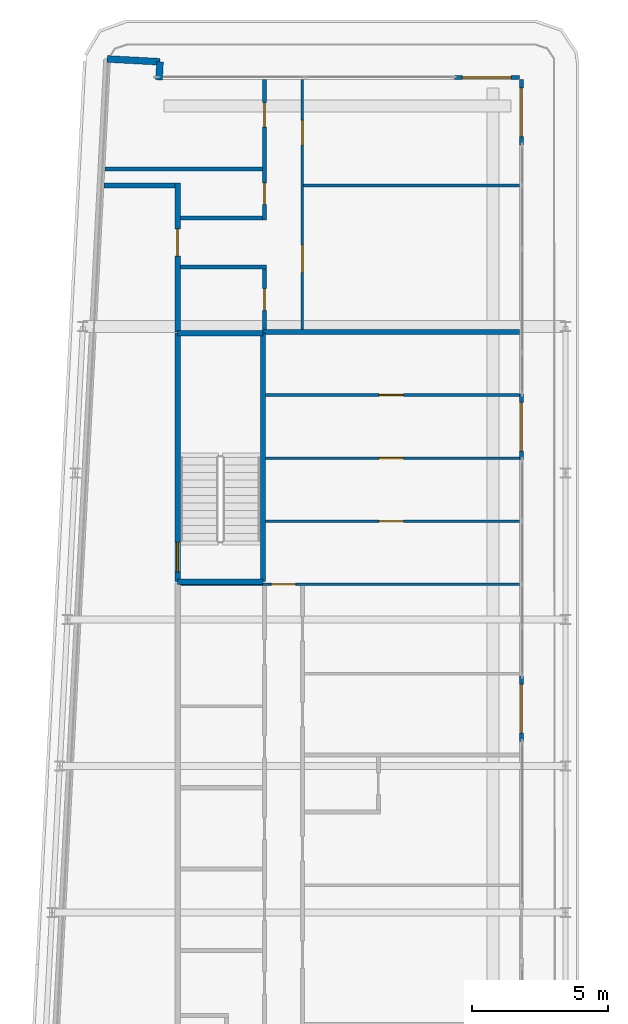
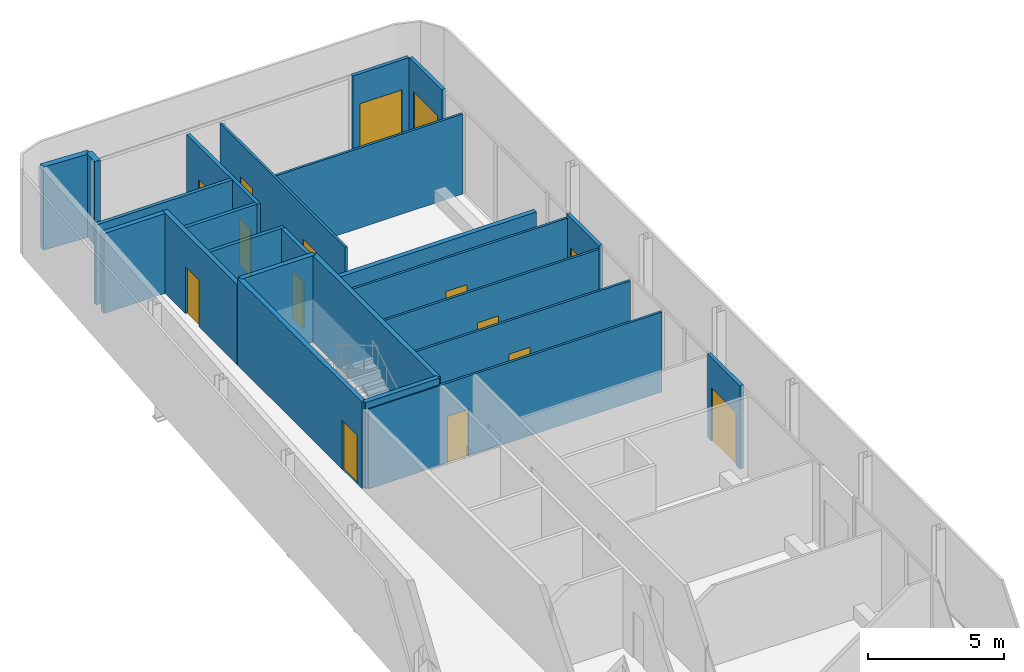
# One storey, part 11 of 18: 24 walls, 15 doors, 15 openings.
"""IFC4 building model written with IfcOpenShell, lengths in metres."""

from ifc_helpers import new_model, si_unit, direction, frame, frame_2d, origin, place, context, subcontext, project, spatial, rectangle, extrude, source, transform, mapped, material, layer, layer_set, type_object, element, fill, save


model = new_model("IFC4")

# Units and contexts
model_context = context("Model", 3, precision=1e-05, world=origin(), true_north=direction((0.0, 1.0)))
body_context = subcontext(model_context, "Body", "Model", "MODEL_VIEW")
ifc_project = project(units=[si_unit("LENGTHUNIT", "METRE"), si_unit("AREAUNIT", "SQUARE_METRE"), si_unit("VOLUMEUNIT", "CUBIC_METRE"), si_unit("PLANEANGLEUNIT", "RADIAN"), si_unit("MASSUNIT", "GRAM", prefix="KILO")], contexts=[model_context])

# Site, building, storey
site_placement = place(None, origin())
site = spatial("IfcSite", under=ifc_project, at=site_placement, CompositionType="ELEMENT")
building_placement = place(site_placement, origin())
building = spatial("IfcBuilding", under=site, at=building_placement, Name="Kheshtan School and Residences Tower", CompositionType="ELEMENT")
storey_placement = place(building_placement, frame((0.0, 0.0, 381.199951171875)))
storey = spatial("IfcBuildingStorey", under=building, at=storey_placement, Name="L90", CompositionType="ELEMENT", Elevation=381.199951171875)

# Wall
ifc_material_1 = material(Name="Gypsum board on steel studs with fire boards", Category="steel")
ifc_layer_1 = layer(ifc_material_1, 0.199951171875)
ifc_layer_set_1 = layer_set([ifc_layer_1], Name="Corridor wall 200")
wall_type_1 = type_object("IfcWallType", Name="Corridor wall 200", PredefinedType="PARTITIONING", material=ifc_layer_set_1)
wall_1_placement = place(storey_placement, frame((30.584716796875, 94.0, 0.0), z_axis=(0.0, 0.0, 1.0), x_axis=(1.0, 0.0, 0.0)))
element("IfcWall", 1, at=wall_1_placement, inside=storey, type_object=wall_type_1, Name="Partition L90-002", PredefinedType="PARTITIONING", context=body_context, shape_type="SweptSolid", body=[
    extrude(rectangle(XDim=2.615234375, YDim=0.199951171875, at=frame_2d((1.3076171875, 0.0))), origin(), (0.0, 0.0, 1.0), 3.60009765625),
])

# Wall, opening, door
wall_2_placement = place(storey_placement, frame((33.300048828125, 88.60009765625, 0.0), z_axis=(0.0, 0.0, 1.0), x_axis=(0.0, 1.0, 0.0)))
wall_2 = element("IfcWall", 2, at=wall_2_placement, inside=storey, type_object=wall_type_1, Name="Partition L90-004", PredefinedType="PARTITIONING", context=body_context, shape_type="SweptSolid", body=[
    extrude(rectangle(XDim=5.5, YDim=0.199951171875, at=frame_2d((2.75, 0.0))), origin(), (0.0, 0.0, 1.0), 3.60009765625),
])
opening_1_placement = place(wall_2_placement, frame((2.800048828125, 0.0, 0.0)))
opening_1 = element("IfcOpeningElement", 3, at=opening_1_placement, cuts=wall_2, Name="Opening D90-022", PredefinedType="OPENING", context=body_context, shape_type="SweptSolid", body=[
    extrude(rectangle(XDim=1.0, YDim=2.10009765625, at=frame_2d((0.5, 1.050048828125))), frame((0.0, 0.10986328125, 0.0), z_axis=(0.0, -1.0, 0.0), x_axis=(1.0, 0.0, 0.0)), (0.0, 0.0, 1.0), 0.219970703125),
])
ifc_material_2 = material(Name="Steel-framed fire-resisting door leaf", Category="steel")
door_type_1 = type_object("IfcDoorType", Name="Fire door FD30S 1000 x 2100", OperationType="SINGLE_SWING_LEFT", PredefinedType="DOOR", material=ifc_material_2)
shared_shape_1 = source(origin(), body_context, "Body", "SweptSolid", [
    extrude(rectangle(XDim=1.0, YDim=2.10009765625, at=frame_2d((0.5, 1.050048828125))), frame((0.0, 0.02490234375, 0.0), z_axis=(0.0, -1.0, 0.0), x_axis=(1.0, 0.0, 0.0)), (0.0, 0.0, 1.0), 0.050048828125),
])
door_1_placement = place(opening_1_placement, origin())
door_1 = element("IfcDoor", 4, at=door_1_placement, inside=storey, type_object=door_type_1, Name="Door D90-022", OperationType="SINGLE_SWING_LEFT", OverallHeight=2.10009765625, OverallWidth=1.0, PredefinedType="DOOR", context=body_context, shape_type="MappedRepresentation", body=[
    mapped(shared_shape_1, transform((0.0, 0.0, 0.0), x_axis=(1.0, 0.0, 0.0), y_axis=(0.0, 1.0, 0.0), z_axis=(0.0, 0.0, 1.0), scale=1.0)),
])
fill(opening_1, door_1)

# Walls
ifc_material_3 = material(Name="Concrete C40/50 with ceramic cladding and mineral wool insulation", Category="concrete")
ifc_layer_2 = layer(ifc_material_3, 0.25)
ifc_layer_set_2 = layer_set([ifc_layer_2], Name="External wall 250 ceramic clad")
wall_type_2 = type_object("IfcWallType", Name="External wall 250 ceramic clad", PredefinedType="SOLIDWALL", material=ifc_layer_set_2)
wall_3_placement = place(storey_placement, frame((30.705078125, 98.6640625, 0.0), z_axis=(0.0, 0.0, 1.0), x_axis=(0.998577785791, -0.053314216913, 0.0)))
element("IfcWall", 5, at=wall_3_placement, inside=storey, type_object=wall_type_2, Name="External wall L90 5", PredefinedType="SOLIDWALL", context=body_context, shape_type="SweptSolid", body=[
    extrude(rectangle(XDim=1.95068359375, YDim=0.25, at=frame_2d((0.975341796875, 0.0))), origin(), (0.0, 0.0, 1.0), 3.75),
])
wall_4_placement = place(storey_placement, frame((32.653076171875, 98.56005859375, 0.0), z_axis=(0.0, 0.0, 1.0), x_axis=(-0.054093451632, -0.998535877418, 0.0)))
element("IfcWall", 6, at=wall_4_placement, inside=storey, type_object=wall_type_2, Name="External wall L90 6", PredefinedType="SOLIDWALL", context=body_context, shape_type="SweptSolid", body=[
    extrude(rectangle(XDim=0.66796875, YDim=0.25, at=frame_2d((0.333984375, 0.0))), origin(), (0.0, 0.0, 1.0), 3.75),
])

# Wall, opening, door
ifc_material_4 = material(Name="Aluminium frame wall with insulated infill", Category="aluminium")
ifc_layer_3 = layer(ifc_material_4, 0.14990234375)
ifc_layer_set_3 = layer_set([ifc_layer_3], Name="Glazing frame wall 150")
wall_type_3 = type_object("IfcWallType", Name="Glazing frame wall 150", PredefinedType="SOLIDWALL", material=ifc_layer_set_3)
wall_5_placement = place(storey_placement, frame((43.5, 97.97509765625, 0.0), z_axis=(0.0, 0.0, 1.0), x_axis=(1.0, 0.0, 0.0)))
wall_5 = element("IfcWall", 7, at=wall_5_placement, inside=storey, type_object=wall_type_3, Name="Balcony door wall L90 7.1", PredefinedType="SOLIDWALL", context=body_context, shape_type="SweptSolid", body=[
    extrude(rectangle(XDim=2.39990234375, YDim=0.14990234375, at=frame_2d((1.199951171875, 0.0))), origin(), (0.0, 0.0, 1.0), 3.75),
])
opening_2_placement = place(wall_5_placement, frame((0.300048828125, 0.0, 0.0)))
opening_2 = element("IfcOpeningElement", 8, at=opening_2_placement, cuts=wall_5, Name="Opening BD", PredefinedType="OPENING", context=body_context, shape_type="SweptSolid", body=[
    extrude(rectangle(XDim=1.800048828125, YDim=2.39990234375, at=frame_2d((0.89990234375, 1.199951171875))), frame((0.0, 0.0849609375, 0.0), z_axis=(0.0, -1.0, 0.0), x_axis=(1.0, 0.0, 0.0)), (0.0, 0.0, 1.0), 0.169921875),
])
ifc_material_5 = material(Name="Clear low-e glass in thermally broken aluminium frame", Category="aluminium")
door_type_2 = type_object("IfcDoorType", Name="Balcony sliding door", OperationType="SLIDING_TO_LEFT", PredefinedType="DOOR", material=ifc_material_5)
shared_shape_2 = source(origin(), body_context, "Body", "SweptSolid", [
    extrude(rectangle(XDim=1.800048828125, YDim=2.39990234375, at=frame_2d((0.89990234375, 1.199951171875))), frame((0.0, 0.02490234375, 0.0), z_axis=(0.0, -1.0, 0.0), x_axis=(1.0, 0.0, 0.0)), (0.0, 0.0, 1.0), 0.050048828125),
])
door_2_placement = place(opening_2_placement, origin())
door_2 = element("IfcDoor", 9, at=door_2_placement, inside=storey, type_object=door_type_2, Name="Balcony door L90 7.1", OperationType="SLIDING_TO_LEFT", OverallHeight=2.39990234375, OverallWidth=1.800048828125, PredefinedType="DOOR", context=body_context, shape_type="MappedRepresentation", body=[
    mapped(shared_shape_2, transform((0.0, 0.0, 0.0), x_axis=(1.0, 0.0, 0.0), y_axis=(0.0, 1.0, 0.0), z_axis=(0.0, 0.0, 1.0), scale=1.0)),
])
fill(opening_2, door_2)

wall_6_placement = place(storey_placement, frame((45.97509765625, 97.89990234375, 0.0), z_axis=(0.0, 0.0, 1.0), x_axis=(0.0, -1.0, 0.0)))
wall_6 = element("IfcWall", 10, at=wall_6_placement, inside=storey, type_object=wall_type_3, Name="Balcony door wall L90 8.1", PredefinedType="SOLIDWALL", context=body_context, shape_type="SweptSolid", body=[
    extrude(rectangle(XDim=2.39990234375, YDim=0.14990234375, at=frame_2d((1.199951171875, 0.0))), origin(), (0.0, 0.0, 1.0), 3.75),
])
opening_3_placement = place(wall_6_placement, frame((0.300048828125, 0.0, 0.0)))
opening_3 = element("IfcOpeningElement", 11, at=opening_3_placement, cuts=wall_6, Name="Opening BD", PredefinedType="OPENING", context=body_context, shape_type="SweptSolid", body=[
    extrude(rectangle(XDim=1.800048828125, YDim=2.39990234375, at=frame_2d((0.89990234375, 1.199951171875))), frame((0.0, 0.0849609375, 0.0), z_axis=(0.0, -1.0, 0.0), x_axis=(1.0, 0.0, 0.0)), (0.0, 0.0, 1.0), 0.169921875),
])
door_3_placement = place(opening_3_placement, origin())
door_3 = element("IfcDoor", 12, at=door_3_placement, inside=storey, type_object=door_type_2, Name="Balcony door L90 8.1", OperationType="SLIDING_TO_LEFT", OverallHeight=2.39990234375, OverallWidth=1.800048828125, PredefinedType="DOOR", context=body_context, shape_type="MappedRepresentation", body=[
    mapped(shared_shape_2, transform((0.0, 0.0, 0.0), x_axis=(1.0, 0.0, 0.0), y_axis=(0.0, 1.0, 0.0), z_axis=(0.0, 0.0, 1.0), scale=1.0)),
])
fill(opening_3, door_3)

wall_7_placement = place(storey_placement, frame((45.97509765625, 86.305908203125, 0.0), z_axis=(0.0, 0.0, 1.0), x_axis=(0.0, -1.0, 0.0)))
wall_7 = element("IfcWall", 13, at=wall_7_placement, inside=storey, type_object=wall_type_3, Name="Balcony door wall L90 8.2", PredefinedType="SOLIDWALL", context=body_context, shape_type="SweptSolid", body=[
    extrude(rectangle(XDim=2.39990234375, YDim=0.14990234375, at=frame_2d((1.199951171875, 0.0))), origin(), (0.0, 0.0, 1.0), 3.75),
])
opening_4_placement = place(wall_7_placement, frame((0.300048828125, 0.0, 0.0)))
opening_4 = element("IfcOpeningElement", 14, at=opening_4_placement, cuts=wall_7, Name="Opening BD", PredefinedType="OPENING", context=body_context, shape_type="SweptSolid", body=[
    extrude(rectangle(XDim=1.800048828125, YDim=2.39990234375, at=frame_2d((0.89990234375, 1.199951171875))), frame((0.0, 0.0849609375, 0.0), z_axis=(0.0, -1.0, 0.0), x_axis=(1.0, 0.0, 0.0)), (0.0, 0.0, 1.0), 0.169921875),
])
door_4_placement = place(opening_4_placement, origin())
door_4 = element("IfcDoor", 15, at=door_4_placement, inside=storey, type_object=door_type_2, Name="Balcony door L90 8.2", OperationType="SLIDING_TO_LEFT", OverallHeight=2.39990234375, OverallWidth=1.800048828125, PredefinedType="DOOR", context=body_context, shape_type="MappedRepresentation", body=[
    mapped(shared_shape_2, transform((0.0, 0.0, 0.0), x_axis=(1.0, 0.0, 0.0), y_axis=(0.0, 1.0, 0.0), z_axis=(0.0, 0.0, 1.0), scale=1.0)),
])
fill(opening_4, door_4)

wall_8_placement = place(storey_placement, frame((45.97509765625, 75.912109375, 0.0), z_axis=(0.0, 0.0, 1.0), x_axis=(0.0, -1.0, 0.0)))
wall_8 = element("IfcWall", 16, at=wall_8_placement, inside=storey, type_object=wall_type_3, Name="Balcony door wall L90 8.3", PredefinedType="SOLIDWALL", context=body_context, shape_type="SweptSolid", body=[
    extrude(rectangle(XDim=2.400146484375, YDim=0.14990234375, at=frame_2d((1.2001953125, 0.0))), origin(), (0.0, 0.0, 1.0), 3.75),
])
opening_5_placement = place(wall_8_placement, frame((0.300048828125, 0.0, 0.0)))
opening_5 = element("IfcOpeningElement", 17, at=opening_5_placement, cuts=wall_8, Name="Opening BD", PredefinedType="OPENING", context=body_context, shape_type="SweptSolid", body=[
    extrude(rectangle(XDim=1.800048828125, YDim=2.39990234375, at=frame_2d((0.89990234375, 1.199951171875))), frame((0.0, 0.0849609375, 0.0), z_axis=(0.0, -1.0, 0.0), x_axis=(1.0, 0.0, 0.0)), (0.0, 0.0, 1.0), 0.169921875),
])
door_5_placement = place(opening_5_placement, origin())
door_5 = element("IfcDoor", 18, at=door_5_placement, inside=storey, type_object=door_type_2, Name="Balcony door L90 8.3", OperationType="SLIDING_TO_LEFT", OverallHeight=2.39990234375, OverallWidth=1.800048828125, PredefinedType="DOOR", context=body_context, shape_type="MappedRepresentation", body=[
    mapped(shared_shape_2, transform((0.0, 0.0, 0.0), x_axis=(1.0, 0.0, 0.0), y_axis=(0.0, 1.0, 0.0), z_axis=(0.0, 0.0, 1.0), scale=1.0)),
])
fill(opening_5, door_5)

ifc_material_6 = material(Name="Gypsum board on steel studs", Category="steel")
ifc_layer_4 = layer(ifc_material_6, 0.10009765625)
ifc_layer_set_4 = layer_set([ifc_layer_4], Name="Gypsum partition 100")
wall_type_4 = type_object("IfcWallType", Name="Gypsum partition 100", PredefinedType="PARTITIONING", material=ifc_layer_set_4)
wall_9_placement = place(storey_placement, frame((33.39990234375, 79.300048828125, 0.0), z_axis=(0.0, 0.0, 1.0), x_axis=(1.0, 0.0, 0.0)))
wall_9 = element("IfcWall", 19, at=wall_9_placement, inside=storey, type_object=wall_type_4, Name="Partition L90-013", PredefinedType="PARTITIONING", context=body_context, shape_type="SweptSolid", body=[
    extrude(rectangle(XDim=12.5, YDim=0.10009765625, at=frame_2d((6.25, 0.0))), origin(), (0.0, 0.0, 1.0), 3.60009765625),
])
opening_6_placement = place(wall_9_placement, frame((3.35498046875, 0.0, 0.0)))
opening_6 = element("IfcOpeningElement", 20, at=opening_6_placement, cuts=wall_9, Name="Opening D90-016", PredefinedType="OPENING", context=body_context, shape_type="SweptSolid", body=[
    extrude(rectangle(XDim=0.89990234375, YDim=2.10009765625, at=frame_2d((0.449951171875, 1.050048828125))), frame((0.0, 0.06005859375, 0.0), z_axis=(0.0, -1.0, 0.0), x_axis=(1.0, 0.0, 0.0)), (0.0, 0.0, 1.0), 0.1201171875),
])
ifc_material_7 = material(Name="Veneered timber door leaf", Category="wood")
door_type_3 = type_object("IfcDoorType", Name="Door 900 x 2100", OperationType="SINGLE_SWING_LEFT", PredefinedType="DOOR", material=ifc_material_7)
shared_shape_3 = source(origin(), body_context, "Body", "SweptSolid", [
    extrude(rectangle(XDim=0.89990234375, YDim=2.10009765625, at=frame_2d((0.449951171875, 1.050048828125))), frame((0.0, 0.02490234375, 0.0), z_axis=(0.0, -1.0, 0.0), x_axis=(1.0, 0.0, 0.0)), (0.0, 0.0, 1.0), 0.050048828125),
])
door_6_placement = place(opening_6_placement, origin())
door_6 = element("IfcDoor", 21, at=door_6_placement, inside=storey, type_object=door_type_3, Name="Door D90-016", OperationType="SINGLE_SWING_LEFT", OverallHeight=2.10009765625, OverallWidth=0.89990234375, PredefinedType="DOOR", context=body_context, shape_type="MappedRepresentation", body=[
    mapped(shared_shape_3, transform((0.0, 0.0, 0.0), x_axis=(1.0, 0.0, 0.0), y_axis=(0.0, 1.0, 0.0), z_axis=(0.0, 0.0, 1.0), scale=1.0)),
])
fill(opening_6, door_6)

wall_10_placement = place(storey_placement, frame((36.549072265625, 81.625, 0.0), z_axis=(0.0, 0.0, 1.0), x_axis=(1.0, 0.0, 0.0)))
wall_10 = element("IfcWall", 22, at=wall_10_placement, inside=storey, type_object=wall_type_4, Name="Partition L90-022", PredefinedType="PARTITIONING", context=body_context, shape_type="SweptSolid", body=[
    extrude(rectangle(XDim=9.350830078125, YDim=0.10009765625, at=frame_2d((4.67529296875, 0.0))), origin(), (0.0, 0.0, 1.0), 3.60009765625),
])
opening_7_placement = place(wall_10_placement, frame((4.176025390625, 0.0, 0.0)))
opening_7 = element("IfcOpeningElement", 23, at=opening_7_placement, cuts=wall_10, Name="Opening D90-017", PredefinedType="OPENING", context=body_context, shape_type="SweptSolid", body=[
    extrude(rectangle(XDim=0.89990234375, YDim=2.10009765625, at=frame_2d((0.449951171875, 1.050048828125))), frame((0.0, 0.06005859375, 0.0), z_axis=(0.0, -1.0, 0.0), x_axis=(1.0, 0.0, 0.0)), (0.0, 0.0, 1.0), 0.1201171875),
])
door_7_placement = place(opening_7_placement, origin())
door_7 = element("IfcDoor", 24, at=door_7_placement, inside=storey, type_object=door_type_3, Name="Door D90-017", OperationType="SINGLE_SWING_RIGHT", OverallHeight=2.10009765625, OverallWidth=0.89990234375, PredefinedType="DOOR", context=body_context, shape_type="MappedRepresentation", body=[
    mapped(shared_shape_3, transform((0.0, 0.0, 0.0), x_axis=(1.0, 0.0, 0.0), y_axis=(0.0, 1.0, 0.0), z_axis=(0.0, 0.0, 1.0), scale=1.0)),
])
fill(opening_7, door_7)

wall_11_placement = place(storey_placement, frame((36.549072265625, 83.949951171875, 0.0), z_axis=(0.0, 0.0, 1.0), x_axis=(1.0, 0.0, 0.0)))
wall_11 = element("IfcWall", 25, at=wall_11_placement, inside=storey, type_object=wall_type_4, Name="Partition L90-023", PredefinedType="PARTITIONING", context=body_context, shape_type="SweptSolid", body=[
    extrude(rectangle(XDim=9.350830078125, YDim=0.10009765625, at=frame_2d((4.67529296875, 0.0))), origin(), (0.0, 0.0, 1.0), 3.60009765625),
])
opening_8_placement = place(wall_11_placement, frame((4.176025390625, 0.0, 0.0)))
opening_8 = element("IfcOpeningElement", 26, at=opening_8_placement, cuts=wall_11, Name="Opening D90-018", PredefinedType="OPENING", context=body_context, shape_type="SweptSolid", body=[
    extrude(rectangle(XDim=0.89990234375, YDim=2.10009765625, at=frame_2d((0.449951171875, 1.050048828125))), frame((0.0, 0.06005859375, 0.0), z_axis=(0.0, -1.0, 0.0), x_axis=(1.0, 0.0, 0.0)), (0.0, 0.0, 1.0), 0.1201171875),
])
door_8_placement = place(opening_8_placement, origin())
door_8 = element("IfcDoor", 27, at=door_8_placement, inside=storey, type_object=door_type_3, Name="Door D90-018", OperationType="SINGLE_SWING_RIGHT", OverallHeight=2.10009765625, OverallWidth=0.89990234375, PredefinedType="DOOR", context=body_context, shape_type="MappedRepresentation", body=[
    mapped(shared_shape_3, transform((0.0, 0.0, 0.0), x_axis=(1.0, 0.0, 0.0), y_axis=(0.0, 1.0, 0.0), z_axis=(0.0, 0.0, 1.0), scale=1.0)),
])
fill(opening_8, door_8)

wall_12_placement = place(storey_placement, frame((36.549072265625, 86.27490234375, 0.0), z_axis=(0.0, 0.0, 1.0), x_axis=(1.0, 0.0, 0.0)))
wall_12 = element("IfcWall", 28, at=wall_12_placement, inside=storey, type_object=wall_type_4, Name="Partition L90-024", PredefinedType="PARTITIONING", context=body_context, shape_type="SweptSolid", body=[
    extrude(rectangle(XDim=9.350830078125, YDim=0.10009765625, at=frame_2d((4.67529296875, 0.0))), origin(), (0.0, 0.0, 1.0), 3.60009765625),
])
opening_9_placement = place(wall_12_placement, frame((4.176025390625, 0.0, 0.0)))
opening_9 = element("IfcOpeningElement", 29, at=opening_9_placement, cuts=wall_12, Name="Opening D90-019", PredefinedType="OPENING", context=body_context, shape_type="SweptSolid", body=[
    extrude(rectangle(XDim=0.89990234375, YDim=2.10009765625, at=frame_2d((0.449951171875, 1.050048828125))), frame((0.0, 0.06005859375, 0.0), z_axis=(0.0, -1.0, 0.0), x_axis=(1.0, 0.0, 0.0)), (0.0, 0.0, 1.0), 0.1201171875),
])
door_9_placement = place(opening_9_placement, origin())
door_9 = element("IfcDoor", 30, at=door_9_placement, inside=storey, type_object=door_type_3, Name="Door D90-019", OperationType="SINGLE_SWING_RIGHT", OverallHeight=2.10009765625, OverallWidth=0.89990234375, PredefinedType="DOOR", context=body_context, shape_type="MappedRepresentation", body=[
    mapped(shared_shape_3, transform((0.0, 0.0, 0.0), x_axis=(1.0, 0.0, 0.0), y_axis=(0.0, 1.0, 0.0), z_axis=(0.0, 0.0, 1.0), scale=1.0)),
])
fill(opening_9, door_9)

# Wall, openings, doors
wall_13_placement = place(storey_placement, frame((37.89990234375, 88.699951171875, 0.0), z_axis=(0.0, 0.0, 1.0), x_axis=(0.0, 1.0, 0.0)))
wall_13 = element("IfcWall", 31, at=wall_13_placement, inside=storey, type_object=wall_type_4, Name="Partition L90-026", PredefinedType="PARTITIONING", context=body_context, shape_type="SweptSolid", body=[
    extrude(rectangle(XDim=9.199951171875, YDim=0.10009765625, at=frame_2d((4.60009765625, 0.0))), origin(), (0.0, 0.0, 1.0), 3.60009765625),
])
opening_10_placement = place(wall_13_placement, frame((6.800048828125, 0.0, 0.0)))
opening_10 = element("IfcOpeningElement", 32, at=opening_10_placement, cuts=wall_13, Name="Opening D90-021", PredefinedType="OPENING", context=body_context, shape_type="SweptSolid", body=[
    extrude(rectangle(XDim=0.89990234375, YDim=2.10009765625, at=frame_2d((0.449951171875, 1.050048828125))), frame((0.0, 0.06005859375, 0.0), z_axis=(0.0, -1.0, 0.0), x_axis=(1.0, 0.0, 0.0)), (0.0, 0.0, 1.0), 0.1201171875),
])
opening_11_placement = place(wall_13_placement, frame((2.10009765625, 0.0, 0.0)))
opening_11 = element("IfcOpeningElement", 33, at=opening_11_placement, cuts=wall_13, Name="Opening D90-024", PredefinedType="OPENING", context=body_context, shape_type="SweptSolid", body=[
    extrude(rectangle(XDim=1.0, YDim=2.10009765625, at=frame_2d((0.5, 1.050048828125))), frame((0.0, 0.06005859375, 0.0), z_axis=(0.0, -1.0, 0.0), x_axis=(1.0, 0.0, 0.0)), (0.0, 0.0, 1.0), 0.1201171875),
])
door_type_4 = type_object("IfcDoorType", Name="Door 1000 x 2100", OperationType="SINGLE_SWING_LEFT", PredefinedType="DOOR", material=ifc_material_7)
shared_shape_4 = source(origin(), body_context, "Body", "SweptSolid", [
    extrude(rectangle(XDim=1.0, YDim=2.10009765625, at=frame_2d((0.5, 1.050048828125))), frame((0.0, 0.02490234375, 0.0), z_axis=(0.0, -1.0, 0.0), x_axis=(1.0, 0.0, 0.0)), (0.0, 0.0, 1.0), 0.050048828125),
])
door_10_placement = place(opening_11_placement, origin())
door_10 = element("IfcDoor", 34, at=door_10_placement, inside=storey, type_object=door_type_4, Name="Door D90-024", OperationType="SINGLE_SWING_LEFT", OverallHeight=2.10009765625, OverallWidth=1.0, PredefinedType="DOOR", context=body_context, shape_type="MappedRepresentation", body=[
    mapped(shared_shape_4, transform((0.0, 0.0, 0.0), x_axis=(1.0, 0.0, 0.0), y_axis=(0.0, 1.0, 0.0), z_axis=(0.0, 0.0, 1.0), scale=1.0)),
])
fill(opening_11, door_10)
door_11_placement = place(opening_10_placement, origin())
door_11 = element("IfcDoor", 35, at=door_11_placement, inside=storey, type_object=door_type_3, Name="Door D90-021", OperationType="SINGLE_SWING_RIGHT", OverallHeight=2.10009765625, OverallWidth=0.89990234375, PredefinedType="DOOR", context=body_context, shape_type="MappedRepresentation", body=[
    mapped(shared_shape_3, transform((0.0, 0.0, 0.0), x_axis=(1.0, 0.0, 0.0), y_axis=(0.0, 1.0, 0.0), z_axis=(0.0, 0.0, 1.0), scale=1.0)),
])
fill(opening_10, door_11)

# Walls
wall_14_placement = place(storey_placement, frame((37.949951171875, 94.0, 0.0), z_axis=(0.0, 0.0, 1.0), x_axis=(1.0, 0.0, 0.0)))
element("IfcWall", 36, at=wall_14_placement, inside=storey, type_object=wall_type_4, Name="Partition L90-027", PredefinedType="PARTITIONING", context=body_context, shape_type="SweptSolid", body=[
    extrude(rectangle(XDim=7.949951171875, YDim=0.10009765625, at=frame_2d((3.97509765625, 0.0))), origin(), (0.0, 0.0, 1.0), 3.60009765625),
])
ifc_material_8 = material(Name="Concrete C40/50", Category="concrete")
ifc_layer_5 = layer(ifc_material_8, 0.199951171875)
ifc_layer_set_5 = layer_set([ifc_layer_5], Name="Stair enclosure wall 200 Concrete C40/50")
wall_type_5 = type_object("IfcWallType", Name="Stair enclosure wall 200 Concrete C40/50", PredefinedType="SHEAR", material=ifc_layer_set_5)
for number, where, z_axis, x_axis, name in (
    (37, (33.300048828125, 79.39990234375, 0.0), (0.0, 0.0, 1.0), (1.0, 0.0, 0.0), "Stair enclosure wall ST3"),
    (38, (33.300048828125, 88.56005859375, 0.0), (0.0, 0.0, 1.0), (1.0, 0.0, 0.0), "Stair enclosure wall ST3"),
):
    element("IfcWall", number, at=place(storey_placement, frame(where, z_axis=z_axis, x_axis=x_axis)), inside=storey, type_object=wall_type_5, Name=name, PredefinedType="SHEAR", context=body_context, shape_type="SweptSolid", body=[
        extrude(rectangle(XDim=3.14990234375, YDim=0.199951171875, at=frame_2d((1.574951171875, 0.0))), origin(), (0.0, 0.0, 1.0), 3.900146484375),
    ])

# Wall, opening, door
wall_15_placement = place(storey_placement, frame((33.300048828125, 79.39990234375, 0.0), z_axis=(0.0, 0.0, 1.0), x_axis=(0.0, 1.0, 0.0)))
wall_15 = element("IfcWall", 39, at=wall_15_placement, inside=storey, type_object=wall_type_5, Name="Stair enclosure wall ST3", PredefinedType="SHEAR", context=body_context, shape_type="SweptSolid", body=[
    extrude(rectangle(XDim=9.16015625, YDim=0.199951171875, at=frame_2d((4.580078125, 0.0))), origin(), (0.0, 0.0, 1.0), 3.900146484375),
])
opening_12_placement = place(wall_15_placement, frame((0.35009765625, 0.0, 0.0)))
opening_12 = element("IfcOpeningElement", 40, at=opening_12_placement, cuts=wall_15, Name="Opening ST3D", PredefinedType="OPENING", context=body_context, shape_type="SweptSolid", body=[
    extrude(rectangle(XDim=1.10009765625, YDim=2.199951171875, at=frame_2d((0.550048828125, 1.10009765625))), frame((0.0, 0.10986328125, 0.0), z_axis=(0.0, -1.0, 0.0), x_axis=(1.0, 0.0, 0.0)), (0.0, 0.0, 1.0), 0.219970703125),
])
ifc_material_9 = material(Name="Steel door leaf, galvanised", Category="steel")
door_type_5 = type_object("IfcDoorType", Name="Stair door 1100 steel 90 min", OperationType="SINGLE_SWING_LEFT", PredefinedType="DOOR", material=ifc_material_9)
shared_shape_5 = source(origin(), body_context, "Body", "SweptSolid", [
    extrude(rectangle(XDim=1.10009765625, YDim=2.199951171875, at=frame_2d((0.550048828125, 1.10009765625))), frame((0.0, 0.02490234375, 0.0), z_axis=(0.0, -1.0, 0.0), x_axis=(1.0, 0.0, 0.0)), (0.0, 0.0, 1.0), 0.050048828125),
])
door_12_placement = place(opening_12_placement, origin())
door_12 = element("IfcDoor", 41, at=door_12_placement, inside=storey, type_object=door_type_5, Name="Stair ST3 door", OperationType="SINGLE_SWING_RIGHT", OverallHeight=2.199951171875, OverallWidth=1.10009765625, PredefinedType="DOOR", context=body_context, shape_type="MappedRepresentation", body=[
    mapped(shared_shape_5, transform((0.0, 0.0, 0.0), x_axis=(1.0, 0.0, 0.0), y_axis=(0.0, 1.0, 0.0), z_axis=(0.0, 0.0, 1.0), scale=1.0)),
])
fill(opening_12, door_12)

# Walls
wall_16_placement = place(storey_placement, frame((36.449951171875, 79.39990234375, 0.0), z_axis=(0.0, 0.0, 1.0), x_axis=(0.0, 1.0, 0.0)))
element("IfcWall", 42, at=wall_16_placement, inside=storey, type_object=wall_type_5, Name="Stair enclosure wall ST3", PredefinedType="SHEAR", context=body_context, shape_type="SweptSolid", body=[
    extrude(rectangle(XDim=9.16015625, YDim=0.199951171875, at=frame_2d((4.580078125, 0.0))), origin(), (0.0, 0.0, 1.0), 3.900146484375),
])
ifc_material_10 = material(Name="Twin gypsum board on steel studs with mineral wool", Category="steel")
ifc_layer_6 = layer(ifc_material_10, 0.199951171875)
ifc_layer_set_6 = layer_set([ifc_layer_6], Name="Unit demising wall 200")
wall_type_6 = type_object("IfcWallType", Name="Unit demising wall 200", PredefinedType="PARTITIONING", material=ifc_layer_set_6)
wall_17_placement = place(storey_placement, frame((36.425048828125, 88.60009765625, 0.0), z_axis=(0.0, 0.0, 1.0), x_axis=(1.0, 0.0, 0.0)))
element("IfcWall", 43, at=wall_17_placement, inside=storey, type_object=wall_type_6, Name="Partition L90-018", PredefinedType="PARTITIONING", context=body_context, shape_type="SweptSolid", body=[
    extrude(rectangle(XDim=9.474853515625, YDim=0.199951171875, at=frame_2d((4.7373046875, 0.0))), origin(), (0.0, 0.0, 1.0), 2.5),
])
ifc_material_11 = material(Name="Moisture-resistant gypsum board on steel studs", Category="steel")
ifc_layer_7 = layer(ifc_material_11, 0.14990234375)
ifc_layer_set_7 = layer_set([ifc_layer_7], Name="Wet-room partition 150")
wall_type_7 = type_object("IfcWallType", Name="Wet-room partition 150", PredefinedType="PARTITIONING", material=ifc_layer_set_7)
wall_18_placement = place(storey_placement, frame((30.616943359375, 94.60009765625, 0.0), z_axis=(0.0, 0.0, 1.0), x_axis=(1.0, 0.0, 0.0)))
element("IfcWall", 44, at=wall_18_placement, inside=storey, type_object=wall_type_7, Name="Partition L90-001", PredefinedType="PARTITIONING", context=body_context, shape_type="SweptSolid", body=[
    extrude(rectangle(XDim=5.80810546875, YDim=0.14990234375, at=frame_2d((2.904052734375, 0.0))), origin(), (0.0, 0.0, 1.0), 3.60009765625),
])
wall_19_placement = place(storey_placement, frame((33.39990234375, 91.0, 0.0), z_axis=(0.0, 0.0, 1.0), x_axis=(1.0, 0.0, 0.0)))
element("IfcWall", 45, at=wall_19_placement, inside=storey, type_object=wall_type_7, Name="Partition L90-014", PredefinedType="PARTITIONING", context=body_context, shape_type="SweptSolid", body=[
    extrude(rectangle(XDim=3.175048828125, YDim=0.14990234375, at=frame_2d((1.58740234375, 0.0))), origin(), (0.0, 0.0, 1.0), 3.60009765625),
])
wall_20_placement = place(storey_placement, frame((33.39990234375, 92.800048828125, 0.0), z_axis=(0.0, 0.0, 1.0), x_axis=(1.0, 0.0, 0.0)))
element("IfcWall", 46, at=wall_20_placement, inside=storey, type_object=wall_type_7, Name="Partition L90-015", PredefinedType="PARTITIONING", context=body_context, shape_type="SweptSolid", body=[
    extrude(rectangle(XDim=3.025146484375, YDim=0.14990234375, at=frame_2d((1.5126953125, 0.0))), origin(), (0.0, 0.0, 1.0), 3.60009765625),
])

# Wall, opening, door
wall_21_placement = place(storey_placement, frame((36.5, 88.699951171875, 0.0), z_axis=(0.0, 0.0, 1.0), x_axis=(0.0, 1.0, 0.0)))
wall_21 = element("IfcWall", 47, at=wall_21_placement, inside=storey, type_object=wall_type_7, Name="Partition L90-020", PredefinedType="PARTITIONING", context=body_context, shape_type="SweptSolid", body=[
    extrude(rectangle(XDim=2.22509765625, YDim=0.14990234375, at=frame_2d((1.112548828125, 0.0))), origin(), (0.0, 0.0, 1.0), 3.60009765625),
])
opening_13_placement = place(wall_21_placement, frame((0.699951171875, 0.0, 0.0)))
opening_13 = element("IfcOpeningElement", 48, at=opening_13_placement, cuts=wall_21, Name="Opening D90-020", PredefinedType="OPENING", context=body_context, shape_type="SweptSolid", body=[
    extrude(rectangle(XDim=0.800048828125, YDim=2.10009765625, at=frame_2d((0.39990234375, 1.050048828125))), frame((0.0, 0.0849609375, 0.0), z_axis=(0.0, -1.0, 0.0), x_axis=(1.0, 0.0, 0.0)), (0.0, 0.0, 1.0), 0.169921875),
])
door_type_6 = type_object("IfcDoorType", Name="Door 800 x 2100", OperationType="SINGLE_SWING_LEFT", PredefinedType="DOOR", material=ifc_material_7)
shared_shape_6 = source(origin(), body_context, "Body", "SweptSolid", [
    extrude(rectangle(XDim=0.800048828125, YDim=2.10009765625, at=frame_2d((0.39990234375, 1.050048828125))), frame((0.0, 0.02490234375, 0.0), z_axis=(0.0, -1.0, 0.0), x_axis=(1.0, 0.0, 0.0)), (0.0, 0.0, 1.0), 0.050048828125),
])
door_13_placement = place(opening_13_placement, origin())
door_13 = element("IfcDoor", 49, at=door_13_placement, inside=storey, type_object=door_type_6, Name="Door D90-020", OperationType="SINGLE_SWING_LEFT", OverallHeight=2.10009765625, OverallWidth=0.800048828125, PredefinedType="DOOR", context=body_context, shape_type="MappedRepresentation", body=[
    mapped(shared_shape_6, transform((0.0, 0.0, 0.0), x_axis=(1.0, 0.0, 0.0), y_axis=(0.0, 1.0, 0.0), z_axis=(0.0, 0.0, 1.0), scale=1.0)),
])
fill(opening_13, door_13)

# Wall, openings, doors
wall_22_placement = place(storey_placement, frame((36.5, 92.72509765625, 0.0), z_axis=(0.0, 0.0, 1.0), x_axis=(0.0, 1.0, 0.0)))
wall_22 = element("IfcWall", 50, at=wall_22_placement, inside=storey, type_object=wall_type_7, Name="Partition L90-021", PredefinedType="PARTITIONING", context=body_context, shape_type="SweptSolid", body=[
    extrude(rectangle(XDim=5.1748046875, YDim=0.14990234375, at=frame_2d((2.58740234375, 0.0))), origin(), (0.0, 0.0, 1.0), 3.60009765625),
])
opening_14_placement = place(wall_22_placement, frame((3.425048828125, 0.0, 0.0)))
opening_14 = element("IfcOpeningElement", 51, at=opening_14_placement, cuts=wall_22, Name="Opening D90-023", PredefinedType="OPENING", context=body_context, shape_type="SweptSolid", body=[
    extrude(rectangle(XDim=0.89990234375, YDim=2.10009765625, at=frame_2d((0.449951171875, 1.050048828125))), frame((0.0, 0.0849609375, 0.0), z_axis=(0.0, -1.0, 0.0), x_axis=(1.0, 0.0, 0.0)), (0.0, 0.0, 1.0), 0.169921875),
])
opening_15_placement = place(wall_22_placement, frame((0.574951171875, 0.0, 0.0)))
opening_15 = element("IfcOpeningElement", 52, at=opening_15_placement, cuts=wall_22, Name="Opening D90-025", PredefinedType="OPENING", context=body_context, shape_type="SweptSolid", body=[
    extrude(rectangle(XDim=0.800048828125, YDim=2.10009765625, at=frame_2d((0.39990234375, 1.050048828125))), frame((0.0, 0.0849609375, 0.0), z_axis=(0.0, -1.0, 0.0), x_axis=(1.0, 0.0, 0.0)), (0.0, 0.0, 1.0), 0.169921875),
])
door_14_placement = place(opening_15_placement, origin())
door_14 = element("IfcDoor", 53, at=door_14_placement, inside=storey, type_object=door_type_6, Name="Door D90-025", OperationType="SINGLE_SWING_RIGHT", OverallHeight=2.10009765625, OverallWidth=0.800048828125, PredefinedType="DOOR", context=body_context, shape_type="MappedRepresentation", body=[
    mapped(shared_shape_6, transform((0.0, 0.0, 0.0), x_axis=(1.0, 0.0, 0.0), y_axis=(0.0, 1.0, 0.0), z_axis=(0.0, 0.0, 1.0), scale=1.0)),
])
fill(opening_15, door_14)
door_15_placement = place(opening_14_placement, origin())
door_15 = element("IfcDoor", 54, at=door_15_placement, inside=storey, type_object=door_type_3, Name="Door D90-023", OperationType="SINGLE_SWING_RIGHT", OverallHeight=2.10009765625, OverallWidth=0.89990234375, PredefinedType="DOOR", context=body_context, shape_type="MappedRepresentation", body=[
    mapped(shared_shape_3, transform((0.0, 0.0, 0.0), x_axis=(1.0, 0.0, 0.0), y_axis=(0.0, 1.0, 0.0), z_axis=(0.0, 0.0, 1.0), scale=1.0)),
])
fill(opening_14, door_15)

save(model, "model.ifc")
